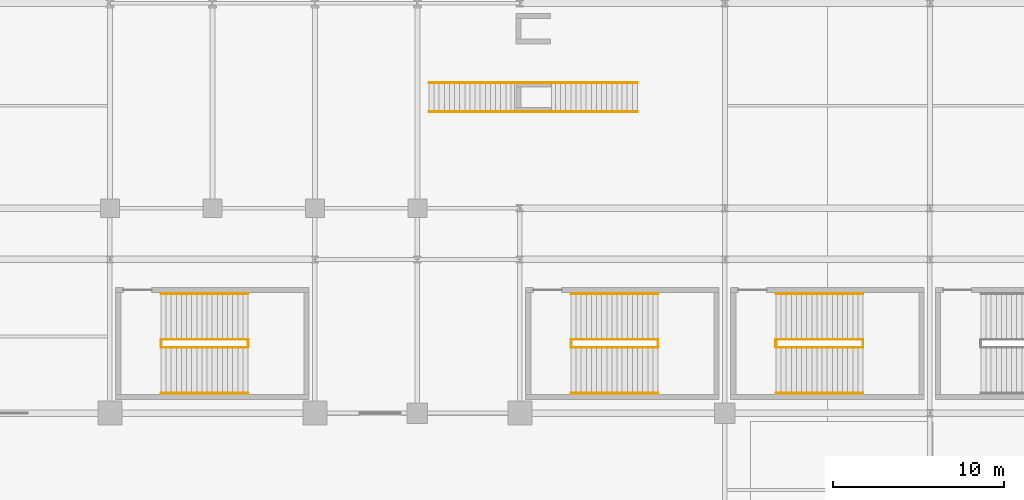
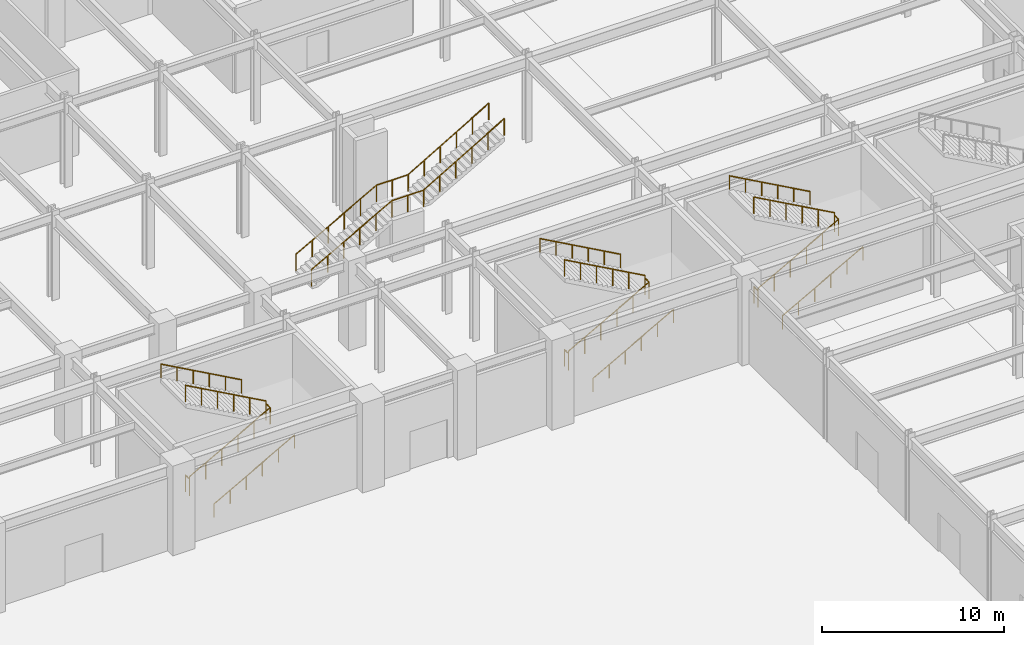
# One storey, part 41 of 44: 20 railings.
"""IFC4 building model written with IfcOpenShell, lengths in metres."""

import ifcopenshell
import ifcopenshell.guid

model = None  # the IFC model being written
_history = None  # IfcOwnerHistory: only IFC2X3 demands one
_inside = {}  # id of a spatial element -> (the spatial element, [elements in it])
_under = {}  # id of a project, library or spatial element -> (it, [spatial elements below it])
_declared = {}  # id of a project -> (the project, [libraries it declares])
_typed = {}  # id of a type object -> (the type object, [elements of that type])
_made_of = {}  # id of a material, layer set ... -> (it, [elements and type objects made of it])


def new_model(schema):
    """Start an empty IFC model of exactly this schema.

    Asked for "IFC4X3", IfcOpenShell would pick the latest addendum, in which some entities
    have other attributes; the version numbers below select the first issue.
    IFC2X3 requires an IfcOwnerHistory on every rooted entity: one is made here for all.
    """
    global model, _history
    if schema == "IFC4X3":
        model = ifcopenshell.file(schema_version=(4, 3, 0, 0))
    else:
        model = ifcopenshell.file(schema=schema)
    _inside.clear()
    _under.clear()
    _declared.clear()
    _typed.clear()
    _made_of.clear()
    _history = None
    if model.schema == "IFC2X3":
        org = make("IfcOrganization", Name="unknown")
        user = make(
            "IfcPersonAndOrganization",
            ThePerson=make("IfcPerson", FamilyName="unknown"),
            TheOrganization=org,
        )
        app = make(
            "IfcApplication",
            ApplicationDeveloper=org,
            Version="unknown",
            ApplicationFullName="unknown",
            ApplicationIdentifier="unknown",
        )
        _history = make(
            "IfcOwnerHistory",
            OwningUser=user,
            OwningApplication=app,
            ChangeAction="ADDED",
            CreationDate=0,
        )
    return model


def make(cls, **values):
    """One entity of the class cls with the attributes given. An attribute that is None is left unset."""
    return model.create_entity(
        cls, **{name: value for name, value in values.items() if value is not None}
    )


def rooted(cls, **values):
    """An entity with a GlobalId (a new one), such as an element, a storey or a relation."""
    return make(cls, GlobalId=ifcopenshell.guid.new(), OwnerHistory=_history, **values)


def si_unit(unit_type, name, prefix=None):
    """IfcSIUnit, for example si_unit("LENGTHUNIT", "METRE", prefix="MILLI")."""
    return make("IfcSIUnit", UnitType=unit_type, Prefix=prefix, Name=name)


def assignment(units):
    """IfcUnitAssignment: the units of a project."""
    return None if units is None else make("IfcUnitAssignment", Units=units)


def point(xyz):
    """IfcCartesianPoint."""
    return None if xyz is None else make("IfcCartesianPoint", Coordinates=xyz)


def direction(xyz):
    """IfcDirection."""
    return None if xyz is None else make("IfcDirection", DirectionRatios=xyz)


def frame(location, z_axis=None, x_axis=None):
    """IfcAxis2Placement3D, a coordinate frame: its origin and axes. An axis left out is left unset."""
    return make(
        "IfcAxis2Placement3D",
        Location=point(location),
        Axis=direction(z_axis),
        RefDirection=direction(x_axis),
    )


def frame_2d(location, x_axis=None):
    """IfcAxis2Placement2D, a coordinate frame in the plane: its origin and x axis."""
    return make(
        "IfcAxis2Placement2D", Location=point(location), RefDirection=direction(x_axis)
    )


def origin():
    """The frame at (0, 0, 0) with its axes left unset."""
    return frame((0.0, 0.0, 0.0))


def origin_2d():
    """The frame at (0, 0) in the plane with its x axis left unset."""
    return frame_2d((0.0, 0.0))


def place(relative_to, where):
    """IfcLocalPlacement: puts the frame where relative to a parent placement (None: the world)."""
    return make(
        "IfcLocalPlacement", PlacementRelTo=relative_to, RelativePlacement=where
    )


def context(
    kind, dimensions, precision=None, world=None, true_north=None, identifier=None
):
    """IfcGeometricRepresentationContext, for example the 3D "Model" context."""
    return make(
        "IfcGeometricRepresentationContext",
        ContextIdentifier=identifier,
        ContextType=kind,
        CoordinateSpaceDimension=dimensions,
        Precision=precision,
        WorldCoordinateSystem=world,
        TrueNorth=true_north,
    )


def subcontext(parent, identifier, kind, view, scale=None):
    """IfcGeometricRepresentationSubContext, for example "Body" below "Model"."""
    return make(
        "IfcGeometricRepresentationSubContext",
        ContextIdentifier=identifier,
        ContextType=kind,
        ParentContext=parent,
        TargetScale=scale,
        TargetView=view,
    )


def project(units=None, contexts=None):
    """IfcProject with its units and contexts."""
    return rooted(
        "IfcProject",
        Name="project",
        RepresentationContexts=contexts,
        UnitsInContext=assignment(units),
    )


def spatial(cls, under=None, at=None, **own):
    """A site, building, storey or space (cls), placed at a placement, below another one or the project."""
    s = rooted(cls, ObjectPlacement=at, **own)
    if under is not None:
        _under.setdefault(under.id(), (under, []))[1].append(s)
    return s


def profile(cls, at=None, kind="AREA", **sizes):
    """A parametric profile (cls). Its sizes go by their IFC names, for example OverallWidth=200.0."""
    return make(cls, ProfileType=kind, Position=at, **sizes)


def circle(**sizes):
    """IfcCircleProfileDef."""
    return profile("IfcCircleProfileDef", **sizes)


def extrude(swept, where, along, depth):
    """IfcExtrudedAreaSolid: the profile swept, set in the frame where, extruded along a direction by depth."""
    return make(
        "IfcExtrudedAreaSolid",
        SweptArea=swept,
        Position=where,
        ExtrudedDirection=direction(along),
        Depth=depth,
    )


def shape(context_of_items, identifier, shape_type, items):
    """IfcShapeRepresentation: the items that make up one representation, for example the "Body"."""
    return make(
        "IfcShapeRepresentation",
        ContextOfItems=context_of_items,
        RepresentationIdentifier=identifier,
        RepresentationType=shape_type,
        Items=items,
    )


def material(Name=None, Category=None):
    """IfcMaterial."""
    return make("IfcMaterial", Name=Name, Category=Category)


def made_of(thing, what):
    """Note that an element or type object is made of a material, layer set ...; save() writes the relation."""
    if what is not None:
        _made_of.setdefault(what.id(), (what, []))[1].append(thing)
    return thing


def type_object(cls, material=None, **own):
    """A type object (cls), such as IfcWallType, which elements share."""
    return made_of(rooted(cls, **own), material)


def element(
    cls,
    number,
    at=None,
    inside=None,
    cuts=None,
    type_object=None,
    material=None,
    context=None,
    identifier="Body",
    shape_type=None,
    held_by="IfcProductDefinitionShape",
    body=None,
    shapes=None,
    **own,
):
    """One element of the class cls, such as IfcWall. Its Tag is "e" and its number.

    at: its placement. inside: the storey or other place that contains it. cuts: it is an
    opening in that element (IfcRelVoidsElement). A single representation is given by context,
    identifier, shape_type and body (its items); several are given by shapes. held_by: the class
    of the entity that holds the representations. save() writes the other relations.
    """
    e = rooted(cls, Tag="e%d" % number, ObjectPlacement=at, **own)
    if body is not None:
        shapes = [shape(context, identifier, shape_type, body)]
    if shapes is not None:
        e.Representation = make(held_by, Representations=shapes)
    if inside is not None:
        _inside.setdefault(inside.id(), (inside, []))[1].append(e)
    if cuts is not None:
        rooted(
            "IfcRelVoidsElement", RelatingBuildingElement=cuts, RelatedOpeningElement=e
        )
    if type_object is not None:
        _typed.setdefault(type_object.id(), (type_object, []))[1].append(e)
    return made_of(e, material)


def aggregate(whole, parts):
    """IfcRelAggregates: a whole, such as a stair, and the parts it consists of."""
    return rooted("IfcRelAggregates", RelatingObject=whole, RelatedObjects=parts)


def save(model, path):
    """Write the relations noted so far, then the file.

    IfcRelAggregates (storeys below a building ...), IfcRelContainedInSpatialStructure (elements
    in a storey), IfcRelDefinesByType, IfcRelAssociatesMaterial and IfcRelDeclares: one each for
    every whole, place, type object, material and project.
    """
    for whole, parts in _under.values():
        aggregate(whole, parts)
    for where, things in _inside.values():
        rooted(
            "IfcRelContainedInSpatialStructure",
            RelatedElements=things,
            RelatingStructure=where,
        )
    for kind, things in _typed.values():
        rooted("IfcRelDefinesByType", RelatedObjects=things, RelatingType=kind)
    for what, things in _made_of.values():
        rooted("IfcRelAssociatesMaterial", RelatedObjects=things, RelatingMaterial=what)
    for by, libraries in _declared.values():
        rooted("IfcRelDeclares", RelatingContext=by, RelatedDefinitions=libraries)
    model.write(path)


model = new_model("IFC4")

# Units and contexts
model_context = context("Model", 3, precision=1e-05, world=origin(), true_north=direction((0.0, 1.0)))
body_context = subcontext(model_context, "Body", "Model", "MODEL_VIEW")
ifc_project = project(units=[si_unit("LENGTHUNIT", "METRE"), si_unit("AREAUNIT", "SQUARE_METRE"), si_unit("VOLUMEUNIT", "CUBIC_METRE"), si_unit("PLANEANGLEUNIT", "RADIAN"), si_unit("MASSUNIT", "GRAM", prefix="KILO")], contexts=[model_context])

# Site, building, storey
site_placement = place(None, origin())
site = spatial("IfcSite", under=ifc_project, at=site_placement, CompositionType="ELEMENT")
building_placement = place(site_placement, origin())
building = spatial("IfcBuilding", under=site, at=building_placement, Name="Kaldorvane Square Convention Centre", CompositionType="ELEMENT")
storey_placement = place(building_placement, origin())
storey = spatial("IfcBuildingStorey", under=building, at=storey_placement, Name="L00", CompositionType="ELEMENT", Elevation=0.0)

# Railings
ifc_material = material(Name="Architectural Painted Steel", Category="steel")
railing_type_1 = type_object("IfcRailingType", Name="RL-GUARD-1120", PredefinedType="BALUSTRADE", material=ifc_material)
for number, where, name in (
    (1, (80.99000549316406, 75.86000061035156, 0.0), "Convention Exit Stair C15 Floor Well Guard (L00)"),
    (2, (86.08999633789062, 75.86000061035156, 3.0), "Convention Exit Stair C15 Half-Landing Guard (L00)"),
):
    element("IfcRailing", number, at=place(storey_placement, frame(where)), inside=storey, type_object=railing_type_1, Name=name, PredefinedType="BALUSTRADE", context=body_context, shape_type="SweptSolid", body=[
        extrude(circle(Radius=0.0240020751953125, at=origin_2d()), frame((0.0, 0.0, 1.0959930419921875), z_axis=(0.0, 1.0, 0.0), x_axis=(-1.0, 0.0, 0.0)), (0.0, 0.0, 1.0), 0.44000244140625),
        extrude(circle(Radius=0.02099609375, at=origin_2d()), origin(), (0.0, 0.0, 1.0), 1.071990966796875),
        extrude(circle(Radius=0.02099609375, at=origin_2d()), frame((0.0, 0.44000244140625, 0.0)), (0.0, 0.0, 1.0), 1.071990966796875),
    ])
railing_1_placement = place(storey_placement, frame((80.99000549316406, 75.85000610351562, 0.1666717529296875)))
element("IfcRailing", 3, at=railing_1_placement, inside=storey, type_object=railing_type_1, Name="Convention Exit Stair C15 Flight 1 Guard (L00)", PredefinedType="BALUSTRADE", context=body_context, shape_type="SweptSolid", body=[
    extrude(circle(Radius=0.0240020751953125, at=origin_2d()), frame((0.0, 0.0, 1.0959930419921875), z_axis=(0.874157276122, 0.0, 0.485642931179), x_axis=(0.0, 1.0, 0.0)), (0.0, 0.0, 1.0), 5.8341827392578125),
    extrude(circle(Radius=0.02099609375, at=origin_2d()), origin(), (0.0, 0.0, 1.0), 1.071990966796875),
    extrude(circle(Radius=0.02099609375, at=origin_2d()), frame((1.0200042724609375, 0.0, 0.5666656494140625)), (0.0, 0.0, 1.0), 1.071990966796875),
    extrude(circle(Radius=0.02099609375, at=origin_2d()), frame((2.0399932861328125, 0.0, 1.133331298828125)), (0.0, 0.0, 1.0), 1.071990966796875),
    extrude(circle(Radius=0.02099609375, at=origin_2d()), frame((3.05999755859375, 0.0, 1.6999969482421875)), (0.0, 0.0, 1.0), 1.071990966796875),
    extrude(circle(Radius=0.02099609375, at=origin_2d()), frame((4.079986572265625, 0.0, 2.26666259765625)), (0.0, 0.0, 1.0), 1.071990966796875),
    extrude(circle(Radius=0.02099609375, at=origin_2d()), frame((5.0999908447265625, 0.0, 2.8333282470703125)), (0.0, 0.0, 1.0), 1.071990966796875),
])
railing_2_placement = place(storey_placement, frame((86.08999633789062, 76.30999755859375, 3.1666717529296875)))
element("IfcRailing", 4, at=railing_2_placement, inside=storey, type_object=railing_type_1, Name="Convention Exit Stair C15 Flight 2 Guard (L00)", PredefinedType="BALUSTRADE", context=body_context, shape_type="SweptSolid", body=[
    extrude(circle(Radius=0.0240020751953125, at=origin_2d()), frame((0.0, 0.0, 1.0959930419921875), z_axis=(-0.874157276122, 0.0, 0.485642931179), x_axis=(0.0, -1.0, 0.0)), (0.0, 0.0, 1.0), 5.8341827392578125),
    extrude(circle(Radius=0.02099609375, at=origin_2d()), origin(), (0.0, 0.0, 1.0), 1.071990966796875),
    extrude(circle(Radius=0.02099609375, at=origin_2d()), frame((-1.0200042724609375, 0.0, 0.5666656494140625)), (0.0, 0.0, 1.0), 1.071990966796875),
    extrude(circle(Radius=0.02099609375, at=origin_2d()), frame((-2.0399932861328125, 0.0, 1.133331298828125)), (0.0, 0.0, 1.0), 1.071990966796875),
    extrude(circle(Radius=0.02099609375, at=origin_2d()), frame((-3.05999755859375, 0.0, 1.6999969482421875)), (0.0, 0.0, 1.0), 1.071990966796875),
    extrude(circle(Radius=0.02099609375, at=origin_2d()), frame((-4.079986572265625, 0.0, 2.26666259765625)), (0.0, 0.0, 1.0), 1.071990966796875),
    extrude(circle(Radius=0.02099609375, at=origin_2d()), frame((-5.0999908447265625, 0.0, 2.8333282470703125)), (0.0, 0.0, 1.0), 1.071990966796875),
])
for number, where, name in (
    (5, (104.99000549316406, 75.86000061035156, 0.0), "Convention Exit Stair C16 Floor Well Guard (L00)"),
    (6, (110.08999633789062, 75.86000061035156, 3.0), "Convention Exit Stair C16 Half-Landing Guard (L00)"),
):
    element("IfcRailing", number, at=place(storey_placement, frame(where)), inside=storey, type_object=railing_type_1, Name=name, PredefinedType="BALUSTRADE", context=body_context, shape_type="SweptSolid", body=[
        extrude(circle(Radius=0.0240020751953125, at=origin_2d()), frame((0.0, 0.0, 1.0959930419921875), z_axis=(0.0, 1.0, 0.0), x_axis=(-1.0, 0.0, 0.0)), (0.0, 0.0, 1.0), 0.44000244140625),
        extrude(circle(Radius=0.02099609375, at=origin_2d()), origin(), (0.0, 0.0, 1.0), 1.071990966796875),
        extrude(circle(Radius=0.02099609375, at=origin_2d()), frame((0.0, 0.44000244140625, 0.0)), (0.0, 0.0, 1.0), 1.071990966796875),
    ])
railing_3_placement = place(storey_placement, frame((104.99000549316406, 75.85000610351562, 0.1666717529296875)))
element("IfcRailing", 7, at=railing_3_placement, inside=storey, type_object=railing_type_1, Name="Convention Exit Stair C16 Flight 1 Guard (L00)", PredefinedType="BALUSTRADE", context=body_context, shape_type="SweptSolid", body=[
    extrude(circle(Radius=0.0240020751953125, at=origin_2d()), frame((0.0, 0.0, 1.0959930419921875), z_axis=(0.874157276122, 0.0, 0.485642931179), x_axis=(0.0, 1.0, 0.0)), (0.0, 0.0, 1.0), 5.8341827392578125),
    extrude(circle(Radius=0.02099609375, at=origin_2d()), origin(), (0.0, 0.0, 1.0), 1.071990966796875),
    extrude(circle(Radius=0.02099609375, at=origin_2d()), frame((1.0200042724609375, 0.0, 0.5666656494140625)), (0.0, 0.0, 1.0), 1.071990966796875),
    extrude(circle(Radius=0.02099609375, at=origin_2d()), frame((2.0399932861328125, 0.0, 1.133331298828125)), (0.0, 0.0, 1.0), 1.071990966796875),
    extrude(circle(Radius=0.02099609375, at=origin_2d()), frame((3.05999755859375, 0.0, 1.6999969482421875)), (0.0, 0.0, 1.0), 1.071990966796875),
    extrude(circle(Radius=0.02099609375, at=origin_2d()), frame((4.079986572265625, 0.0, 2.26666259765625)), (0.0, 0.0, 1.0), 1.071990966796875),
    extrude(circle(Radius=0.02099609375, at=origin_2d()), frame((5.0999908447265625, 0.0, 2.8333282470703125)), (0.0, 0.0, 1.0), 1.071990966796875),
])
railing_4_placement = place(storey_placement, frame((110.08999633789062, 76.30999755859375, 3.1666717529296875)))
element("IfcRailing", 8, at=railing_4_placement, inside=storey, type_object=railing_type_1, Name="Convention Exit Stair C16 Flight 2 Guard (L00)", PredefinedType="BALUSTRADE", context=body_context, shape_type="SweptSolid", body=[
    extrude(circle(Radius=0.0240020751953125, at=origin_2d()), frame((0.0, 0.0, 1.0959930419921875), z_axis=(-0.874157276122, 0.0, 0.485642931179), x_axis=(0.0, -1.0, 0.0)), (0.0, 0.0, 1.0), 5.8341827392578125),
    extrude(circle(Radius=0.02099609375, at=origin_2d()), origin(), (0.0, 0.0, 1.0), 1.071990966796875),
    extrude(circle(Radius=0.02099609375, at=origin_2d()), frame((-1.0200042724609375, 0.0, 0.5666656494140625)), (0.0, 0.0, 1.0), 1.071990966796875),
    extrude(circle(Radius=0.02099609375, at=origin_2d()), frame((-2.0399932861328125, 0.0, 1.133331298828125)), (0.0, 0.0, 1.0), 1.071990966796875),
    extrude(circle(Radius=0.02099609375, at=origin_2d()), frame((-3.05999755859375, 0.0, 1.6999969482421875)), (0.0, 0.0, 1.0), 1.071990966796875),
    extrude(circle(Radius=0.02099609375, at=origin_2d()), frame((-4.079986572265625, 0.0, 2.26666259765625)), (0.0, 0.0, 1.0), 1.071990966796875),
    extrude(circle(Radius=0.02099609375, at=origin_2d()), frame((-5.0999908447265625, 0.0, 2.8333282470703125)), (0.0, 0.0, 1.0), 1.071990966796875),
])
for number, where, name in (
    (9, (116.99000549316406, 75.86000061035156, 0.0), "Convention Exit Stair C17 Floor Well Guard (L00)"),
    (10, (122.08999633789062, 75.86000061035156, 3.0), "Convention Exit Stair C17 Half-Landing Guard (L00)"),
):
    element("IfcRailing", number, at=place(storey_placement, frame(where)), inside=storey, type_object=railing_type_1, Name=name, PredefinedType="BALUSTRADE", context=body_context, shape_type="SweptSolid", body=[
        extrude(circle(Radius=0.0240020751953125, at=origin_2d()), frame((0.0, 0.0, 1.0959930419921875), z_axis=(0.0, 1.0, 0.0), x_axis=(-1.0, 0.0, 0.0)), (0.0, 0.0, 1.0), 0.44000244140625),
        extrude(circle(Radius=0.02099609375, at=origin_2d()), origin(), (0.0, 0.0, 1.0), 1.071990966796875),
        extrude(circle(Radius=0.02099609375, at=origin_2d()), frame((0.0, 0.44000244140625, 0.0)), (0.0, 0.0, 1.0), 1.071990966796875),
    ])
railing_5_placement = place(storey_placement, frame((116.99000549316406, 75.85000610351562, 0.1666717529296875)))
element("IfcRailing", 11, at=railing_5_placement, inside=storey, type_object=railing_type_1, Name="Convention Exit Stair C17 Flight 1 Guard (L00)", PredefinedType="BALUSTRADE", context=body_context, shape_type="SweptSolid", body=[
    extrude(circle(Radius=0.0240020751953125, at=origin_2d()), frame((0.0, 0.0, 1.0959930419921875), z_axis=(0.874157276122, 0.0, 0.485642931179), x_axis=(0.0, 1.0, 0.0)), (0.0, 0.0, 1.0), 5.8341827392578125),
    extrude(circle(Radius=0.02099609375, at=origin_2d()), origin(), (0.0, 0.0, 1.0), 1.071990966796875),
    extrude(circle(Radius=0.02099609375, at=origin_2d()), frame((1.0200042724609375, 0.0, 0.5666656494140625)), (0.0, 0.0, 1.0), 1.071990966796875),
    extrude(circle(Radius=0.02099609375, at=origin_2d()), frame((2.0399932861328125, 0.0, 1.133331298828125)), (0.0, 0.0, 1.0), 1.071990966796875),
    extrude(circle(Radius=0.02099609375, at=origin_2d()), frame((3.05999755859375, 0.0, 1.6999969482421875)), (0.0, 0.0, 1.0), 1.071990966796875),
    extrude(circle(Radius=0.02099609375, at=origin_2d()), frame((4.079986572265625, 0.0, 2.26666259765625)), (0.0, 0.0, 1.0), 1.071990966796875),
    extrude(circle(Radius=0.02099609375, at=origin_2d()), frame((5.0999908447265625, 0.0, 2.8333282470703125)), (0.0, 0.0, 1.0), 1.071990966796875),
])
railing_6_placement = place(storey_placement, frame((122.08999633789062, 76.30999755859375, 3.1666717529296875)))
element("IfcRailing", 12, at=railing_6_placement, inside=storey, type_object=railing_type_1, Name="Convention Exit Stair C17 Flight 2 Guard (L00)", PredefinedType="BALUSTRADE", context=body_context, shape_type="SweptSolid", body=[
    extrude(circle(Radius=0.0240020751953125, at=origin_2d()), frame((0.0, 0.0, 1.0959930419921875), z_axis=(-0.874157276122, 0.0, 0.485642931179), x_axis=(0.0, -1.0, 0.0)), (0.0, 0.0, 1.0), 5.8341827392578125),
    extrude(circle(Radius=0.02099609375, at=origin_2d()), origin(), (0.0, 0.0, 1.0), 1.071990966796875),
    extrude(circle(Radius=0.02099609375, at=origin_2d()), frame((-1.0200042724609375, 0.0, 0.5666656494140625)), (0.0, 0.0, 1.0), 1.071990966796875),
    extrude(circle(Radius=0.02099609375, at=origin_2d()), frame((-2.0399932861328125, 0.0, 1.133331298828125)), (0.0, 0.0, 1.0), 1.071990966796875),
    extrude(circle(Radius=0.02099609375, at=origin_2d()), frame((-3.05999755859375, 0.0, 1.6999969482421875)), (0.0, 0.0, 1.0), 1.071990966796875),
    extrude(circle(Radius=0.02099609375, at=origin_2d()), frame((-4.079986572265625, 0.0, 2.26666259765625)), (0.0, 0.0, 1.0), 1.071990966796875),
    extrude(circle(Radius=0.02099609375, at=origin_2d()), frame((-5.0999908447265625, 0.0, 2.8333282470703125)), (0.0, 0.0, 1.0), 1.071990966796875),
])
railing_7_placement = place(storey_placement, frame((96.67999267578125, 89.64999389648438, 0.1666717529296875)))
element("IfcRailing", 13, at=railing_7_placement, inside=storey, type_object=railing_type_1, Name="Hotel Atrium Grand Stair F5 Balustrade S (L00)", PredefinedType="BALUSTRADE", context=body_context, shape_type="SweptSolid", body=[
    extrude(circle(Radius=0.0240020751953125, at=origin_2d()), frame((0.0, 0.0, 1.0959930419921875), z_axis=(0.874157892962, 0.0, 0.485641820864), x_axis=(0.0, 1.0, 0.0)), (0.0, 0.0, 1.0), 5.834197998046875),
    extrude(circle(Radius=0.0240020751953125, at=origin_2d()), frame((5.100006103515625, 0.0, 3.9293212890625), z_axis=(1.0, 0.0, 0.0), x_axis=(0.0, 1.0, 0.0)), (0.0, 0.0, 1.0), 2.0),
    extrude(circle(Radius=0.0240020751953125, at=origin_2d()), frame((7.100006103515625, 0.0, 3.9293212890625), z_axis=(0.861934480334, 0.0, 0.507019675764), x_axis=(0.0, 1.0, 0.0)), (0.0, 0.0, 1.0), 5.91693115234375),
    extrude(circle(Radius=0.02099609375, at=origin_2d()), origin(), (0.0, 0.0, 1.0), 1.071990966796875),
    extrude(circle(Radius=0.02099609375, at=origin_2d()), frame((1.0200042724609375, 0.0, 0.5666656494140625)), (0.0, 0.0, 1.0), 1.071990966796875),
    extrude(circle(Radius=0.02099609375, at=origin_2d()), frame((2.040008544921875, 0.0, 1.133331298828125)), (0.0, 0.0, 1.0), 1.071990966796875),
    extrude(circle(Radius=0.02099609375, at=origin_2d()), frame((3.05999755859375, 0.0, 1.6999969482421875)), (0.0, 0.0, 1.0), 1.071990966796875),
    extrude(circle(Radius=0.02099609375, at=origin_2d()), frame((4.0800018310546875, 0.0, 2.26666259765625)), (0.0, 0.0, 1.0), 1.071990966796875),
    extrude(circle(Radius=0.02099609375, at=origin_2d()), frame((5.100006103515625, 0.0, 2.8333282470703125)), (0.0, 0.0, 1.0), 1.071990966796875),
    extrude(circle(Radius=0.02099609375, at=origin_2d()), frame((6.100006103515625, 0.0, 2.8333282470703125)), (0.0, 0.0, 1.0), 1.071990966796875),
    extrude(circle(Radius=0.02099609375, at=origin_2d()), frame((7.100006103515625, 0.0, 2.8333282470703125)), (0.0, 0.0, 1.0), 1.071990966796875),
    extrude(circle(Radius=0.02099609375, at=origin_2d()), frame((8.120010375976562, 0.0, 3.4333343505859375)), (0.0, 0.0, 1.0), 1.071990966796875),
    extrude(circle(Radius=0.02099609375, at=origin_2d()), frame((9.1400146484375, 0.0, 4.0333251953125)), (0.0, 0.0, 1.0), 1.071990966796875),
    extrude(circle(Radius=0.02099609375, at=origin_2d()), frame((10.160003662109375, 0.0, 4.633331298828125)), (0.0, 0.0, 1.0), 1.071990966796875),
    extrude(circle(Radius=0.02099609375, at=origin_2d()), frame((11.180007934570312, 0.0, 5.2333221435546875)), (0.0, 0.0, 1.0), 1.071990966796875),
    extrude(circle(Radius=0.02099609375, at=origin_2d()), frame((12.20001220703125, 0.0, 5.8333282470703125)), (0.0, 0.0, 1.0), 1.071990966796875),
])
railing_8_placement = place(storey_placement, frame((96.67999267578125, 91.35000610351562, 0.1666717529296875)))
element("IfcRailing", 14, at=railing_8_placement, inside=storey, type_object=railing_type_1, Name="Hotel Atrium Grand Stair F5 Balustrade N (L00)", PredefinedType="BALUSTRADE", context=body_context, shape_type="SweptSolid", body=[
    extrude(circle(Radius=0.0240020751953125, at=origin_2d()), frame((0.0, 0.0, 1.0959930419921875), z_axis=(0.874157892962, 0.0, 0.485641820864), x_axis=(0.0, 1.0, 0.0)), (0.0, 0.0, 1.0), 5.834197998046875),
    extrude(circle(Radius=0.0240020751953125, at=origin_2d()), frame((5.100006103515625, 0.0, 3.9293212890625), z_axis=(1.0, 0.0, 0.0), x_axis=(0.0, 1.0, 0.0)), (0.0, 0.0, 1.0), 2.0),
    extrude(circle(Radius=0.0240020751953125, at=origin_2d()), frame((7.100006103515625, 0.0, 3.9293212890625), z_axis=(0.861934480334, 0.0, 0.507019675764), x_axis=(0.0, 1.0, 0.0)), (0.0, 0.0, 1.0), 5.91693115234375),
    extrude(circle(Radius=0.02099609375, at=origin_2d()), origin(), (0.0, 0.0, 1.0), 1.071990966796875),
    extrude(circle(Radius=0.02099609375, at=origin_2d()), frame((1.0200042724609375, 0.0, 0.5666656494140625)), (0.0, 0.0, 1.0), 1.071990966796875),
    extrude(circle(Radius=0.02099609375, at=origin_2d()), frame((2.040008544921875, 0.0, 1.133331298828125)), (0.0, 0.0, 1.0), 1.071990966796875),
    extrude(circle(Radius=0.02099609375, at=origin_2d()), frame((3.05999755859375, 0.0, 1.6999969482421875)), (0.0, 0.0, 1.0), 1.071990966796875),
    extrude(circle(Radius=0.02099609375, at=origin_2d()), frame((4.0800018310546875, 0.0, 2.26666259765625)), (0.0, 0.0, 1.0), 1.071990966796875),
    extrude(circle(Radius=0.02099609375, at=origin_2d()), frame((5.100006103515625, 0.0, 2.8333282470703125)), (0.0, 0.0, 1.0), 1.071990966796875),
    extrude(circle(Radius=0.02099609375, at=origin_2d()), frame((6.100006103515625, 0.0, 2.8333282470703125)), (0.0, 0.0, 1.0), 1.071990966796875),
    extrude(circle(Radius=0.02099609375, at=origin_2d()), frame((7.100006103515625, 0.0, 2.8333282470703125)), (0.0, 0.0, 1.0), 1.071990966796875),
    extrude(circle(Radius=0.02099609375, at=origin_2d()), frame((8.120010375976562, 0.0, 3.4333343505859375)), (0.0, 0.0, 1.0), 1.071990966796875),
    extrude(circle(Radius=0.02099609375, at=origin_2d()), frame((9.1400146484375, 0.0, 4.0333251953125)), (0.0, 0.0, 1.0), 1.071990966796875),
    extrude(circle(Radius=0.02099609375, at=origin_2d()), frame((10.160003662109375, 0.0, 4.633331298828125)), (0.0, 0.0, 1.0), 1.071990966796875),
    extrude(circle(Radius=0.02099609375, at=origin_2d()), frame((11.180007934570312, 0.0, 5.2333221435546875)), (0.0, 0.0, 1.0), 1.071990966796875),
    extrude(circle(Radius=0.02099609375, at=origin_2d()), frame((12.20001220703125, 0.0, 5.8333282470703125)), (0.0, 0.0, 1.0), 1.071990966796875),
])
railing_type_2 = type_object("IfcRailingType", Name="RL-HAND-915", PredefinedType="HANDRAIL", material=ifc_material)
railing_9_placement = place(storey_placement, frame((80.99000549316406, 73.16999816894531, 0.1666717529296875)))
element("IfcRailing", 15, at=railing_9_placement, inside=storey, type_object=railing_type_2, Name="Convention Exit Stair C15 Wall Handrail 1 (L00)", PredefinedType="HANDRAIL", context=body_context, shape_type="SweptSolid", body=[
    extrude(circle(Radius=0.0240020751953125, at=origin_2d()), frame((0.0, 0.0, 0.8909912109375), z_axis=(0.874157276122, 0.0, 0.485642931179), x_axis=(0.0, 1.0, 0.0)), (0.0, 0.0, 1.0), 5.8341827392578125),
    extrude(circle(Radius=0.02099609375, at=origin_2d()), origin(), (0.0, 0.0, 1.0), 0.8669891357421875),
    extrude(circle(Radius=0.02099609375, at=origin_2d()), frame((1.0200042724609375, 0.0, 0.5666656494140625)), (0.0, 0.0, 1.0), 0.8669891357421875),
    extrude(circle(Radius=0.02099609375, at=origin_2d()), frame((2.0399932861328125, 0.0, 1.133331298828125)), (0.0, 0.0, 1.0), 0.8669891357421875),
    extrude(circle(Radius=0.02099609375, at=origin_2d()), frame((3.05999755859375, 0.0, 1.6999969482421875)), (0.0, 0.0, 1.0), 0.8669891357421875),
    extrude(circle(Radius=0.02099609375, at=origin_2d()), frame((4.079986572265625, 0.0, 2.26666259765625)), (0.0, 0.0, 1.0), 0.8669891357421875),
    extrude(circle(Radius=0.02099609375, at=origin_2d()), frame((5.0999908447265625, 0.0, 2.8333282470703125)), (0.0, 0.0, 1.0), 0.8669891357421875),
])
railing_10_placement = place(storey_placement, frame((86.08999633789062, 78.99000549316406, 3.1666717529296875)))
element("IfcRailing", 16, at=railing_10_placement, inside=storey, type_object=railing_type_2, Name="Convention Exit Stair C15 Wall Handrail 2 (L00)", PredefinedType="HANDRAIL", context=body_context, shape_type="SweptSolid", body=[
    extrude(circle(Radius=0.0240020751953125, at=origin_2d()), frame((0.0, 0.0, 0.8909912109375), z_axis=(-0.874157276122, 0.0, 0.485642931179), x_axis=(0.0, -1.0, 0.0)), (0.0, 0.0, 1.0), 5.8341827392578125),
    extrude(circle(Radius=0.02099609375, at=origin_2d()), origin(), (0.0, 0.0, 1.0), 0.8669891357421875),
    extrude(circle(Radius=0.02099609375, at=origin_2d()), frame((-1.0200042724609375, 0.0, 0.5666656494140625)), (0.0, 0.0, 1.0), 0.8669891357421875),
    extrude(circle(Radius=0.02099609375, at=origin_2d()), frame((-2.0399932861328125, 0.0, 1.133331298828125)), (0.0, 0.0, 1.0), 0.8669891357421875),
    extrude(circle(Radius=0.02099609375, at=origin_2d()), frame((-3.05999755859375, 0.0, 1.6999969482421875)), (0.0, 0.0, 1.0), 0.8669891357421875),
    extrude(circle(Radius=0.02099609375, at=origin_2d()), frame((-4.079986572265625, 0.0, 2.26666259765625)), (0.0, 0.0, 1.0), 0.8669891357421875),
    extrude(circle(Radius=0.02099609375, at=origin_2d()), frame((-5.0999908447265625, 0.0, 2.8333282470703125)), (0.0, 0.0, 1.0), 0.8669891357421875),
])
railing_11_placement = place(storey_placement, frame((104.99000549316406, 73.16999816894531, 0.1666717529296875)))
element("IfcRailing", 17, at=railing_11_placement, inside=storey, type_object=railing_type_2, Name="Convention Exit Stair C16 Wall Handrail 1 (L00)", PredefinedType="HANDRAIL", context=body_context, shape_type="SweptSolid", body=[
    extrude(circle(Radius=0.0240020751953125, at=origin_2d()), frame((0.0, 0.0, 0.8909912109375), z_axis=(0.874157276122, 0.0, 0.485642931179), x_axis=(0.0, 1.0, 0.0)), (0.0, 0.0, 1.0), 5.8341827392578125),
    extrude(circle(Radius=0.02099609375, at=origin_2d()), origin(), (0.0, 0.0, 1.0), 0.8669891357421875),
    extrude(circle(Radius=0.02099609375, at=origin_2d()), frame((1.0200042724609375, 0.0, 0.5666656494140625)), (0.0, 0.0, 1.0), 0.8669891357421875),
    extrude(circle(Radius=0.02099609375, at=origin_2d()), frame((2.0399932861328125, 0.0, 1.133331298828125)), (0.0, 0.0, 1.0), 0.8669891357421875),
    extrude(circle(Radius=0.02099609375, at=origin_2d()), frame((3.05999755859375, 0.0, 1.6999969482421875)), (0.0, 0.0, 1.0), 0.8669891357421875),
    extrude(circle(Radius=0.02099609375, at=origin_2d()), frame((4.079986572265625, 0.0, 2.26666259765625)), (0.0, 0.0, 1.0), 0.8669891357421875),
    extrude(circle(Radius=0.02099609375, at=origin_2d()), frame((5.0999908447265625, 0.0, 2.8333282470703125)), (0.0, 0.0, 1.0), 0.8669891357421875),
])
railing_12_placement = place(storey_placement, frame((110.08999633789062, 78.99000549316406, 3.1666717529296875)))
element("IfcRailing", 18, at=railing_12_placement, inside=storey, type_object=railing_type_2, Name="Convention Exit Stair C16 Wall Handrail 2 (L00)", PredefinedType="HANDRAIL", context=body_context, shape_type="SweptSolid", body=[
    extrude(circle(Radius=0.0240020751953125, at=origin_2d()), frame((0.0, 0.0, 0.8909912109375), z_axis=(-0.874157276122, 0.0, 0.485642931179), x_axis=(0.0, -1.0, 0.0)), (0.0, 0.0, 1.0), 5.8341827392578125),
    extrude(circle(Radius=0.02099609375, at=origin_2d()), origin(), (0.0, 0.0, 1.0), 0.8669891357421875),
    extrude(circle(Radius=0.02099609375, at=origin_2d()), frame((-1.0200042724609375, 0.0, 0.5666656494140625)), (0.0, 0.0, 1.0), 0.8669891357421875),
    extrude(circle(Radius=0.02099609375, at=origin_2d()), frame((-2.0399932861328125, 0.0, 1.133331298828125)), (0.0, 0.0, 1.0), 0.8669891357421875),
    extrude(circle(Radius=0.02099609375, at=origin_2d()), frame((-3.05999755859375, 0.0, 1.6999969482421875)), (0.0, 0.0, 1.0), 0.8669891357421875),
    extrude(circle(Radius=0.02099609375, at=origin_2d()), frame((-4.079986572265625, 0.0, 2.26666259765625)), (0.0, 0.0, 1.0), 0.8669891357421875),
    extrude(circle(Radius=0.02099609375, at=origin_2d()), frame((-5.0999908447265625, 0.0, 2.8333282470703125)), (0.0, 0.0, 1.0), 0.8669891357421875),
])
railing_13_placement = place(storey_placement, frame((116.99000549316406, 73.16999816894531, 0.1666717529296875)))
element("IfcRailing", 19, at=railing_13_placement, inside=storey, type_object=railing_type_2, Name="Convention Exit Stair C17 Wall Handrail 1 (L00)", PredefinedType="HANDRAIL", context=body_context, shape_type="SweptSolid", body=[
    extrude(circle(Radius=0.0240020751953125, at=origin_2d()), frame((0.0, 0.0, 0.8909912109375), z_axis=(0.874157276122, 0.0, 0.485642931179), x_axis=(0.0, 1.0, 0.0)), (0.0, 0.0, 1.0), 5.8341827392578125),
    extrude(circle(Radius=0.02099609375, at=origin_2d()), origin(), (0.0, 0.0, 1.0), 0.8669891357421875),
    extrude(circle(Radius=0.02099609375, at=origin_2d()), frame((1.0200042724609375, 0.0, 0.5666656494140625)), (0.0, 0.0, 1.0), 0.8669891357421875),
    extrude(circle(Radius=0.02099609375, at=origin_2d()), frame((2.0399932861328125, 0.0, 1.133331298828125)), (0.0, 0.0, 1.0), 0.8669891357421875),
    extrude(circle(Radius=0.02099609375, at=origin_2d()), frame((3.05999755859375, 0.0, 1.6999969482421875)), (0.0, 0.0, 1.0), 0.8669891357421875),
    extrude(circle(Radius=0.02099609375, at=origin_2d()), frame((4.079986572265625, 0.0, 2.26666259765625)), (0.0, 0.0, 1.0), 0.8669891357421875),
    extrude(circle(Radius=0.02099609375, at=origin_2d()), frame((5.0999908447265625, 0.0, 2.8333282470703125)), (0.0, 0.0, 1.0), 0.8669891357421875),
])
railing_14_placement = place(storey_placement, frame((122.08999633789062, 78.99000549316406, 3.1666717529296875)))
element("IfcRailing", 20, at=railing_14_placement, inside=storey, type_object=railing_type_2, Name="Convention Exit Stair C17 Wall Handrail 2 (L00)", PredefinedType="HANDRAIL", context=body_context, shape_type="SweptSolid", body=[
    extrude(circle(Radius=0.0240020751953125, at=origin_2d()), frame((0.0, 0.0, 0.8909912109375), z_axis=(-0.874157276122, 0.0, 0.485642931179), x_axis=(0.0, -1.0, 0.0)), (0.0, 0.0, 1.0), 5.8341827392578125),
    extrude(circle(Radius=0.02099609375, at=origin_2d()), origin(), (0.0, 0.0, 1.0), 0.8669891357421875),
    extrude(circle(Radius=0.02099609375, at=origin_2d()), frame((-1.0200042724609375, 0.0, 0.5666656494140625)), (0.0, 0.0, 1.0), 0.8669891357421875),
    extrude(circle(Radius=0.02099609375, at=origin_2d()), frame((-2.0399932861328125, 0.0, 1.133331298828125)), (0.0, 0.0, 1.0), 0.8669891357421875),
    extrude(circle(Radius=0.02099609375, at=origin_2d()), frame((-3.05999755859375, 0.0, 1.6999969482421875)), (0.0, 0.0, 1.0), 0.8669891357421875),
    extrude(circle(Radius=0.02099609375, at=origin_2d()), frame((-4.079986572265625, 0.0, 2.26666259765625)), (0.0, 0.0, 1.0), 0.8669891357421875),
    extrude(circle(Radius=0.02099609375, at=origin_2d()), frame((-5.0999908447265625, 0.0, 2.8333282470703125)), (0.0, 0.0, 1.0), 0.8669891357421875),
])

save(model, "model.ifc")
